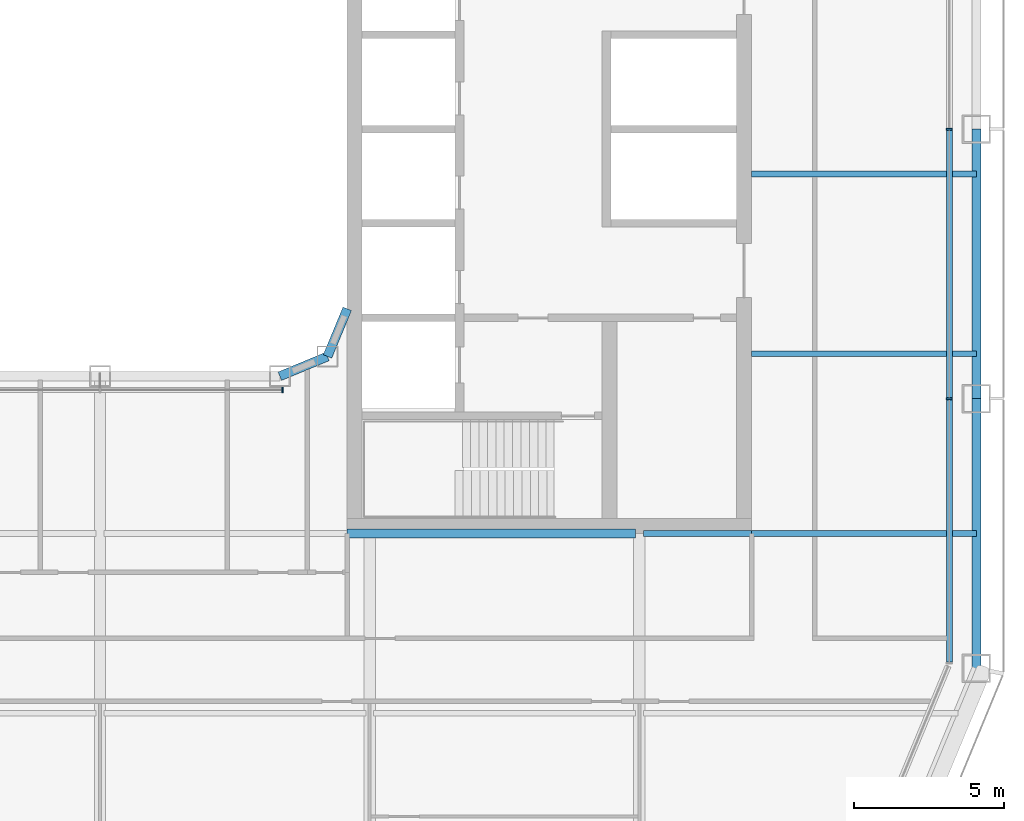
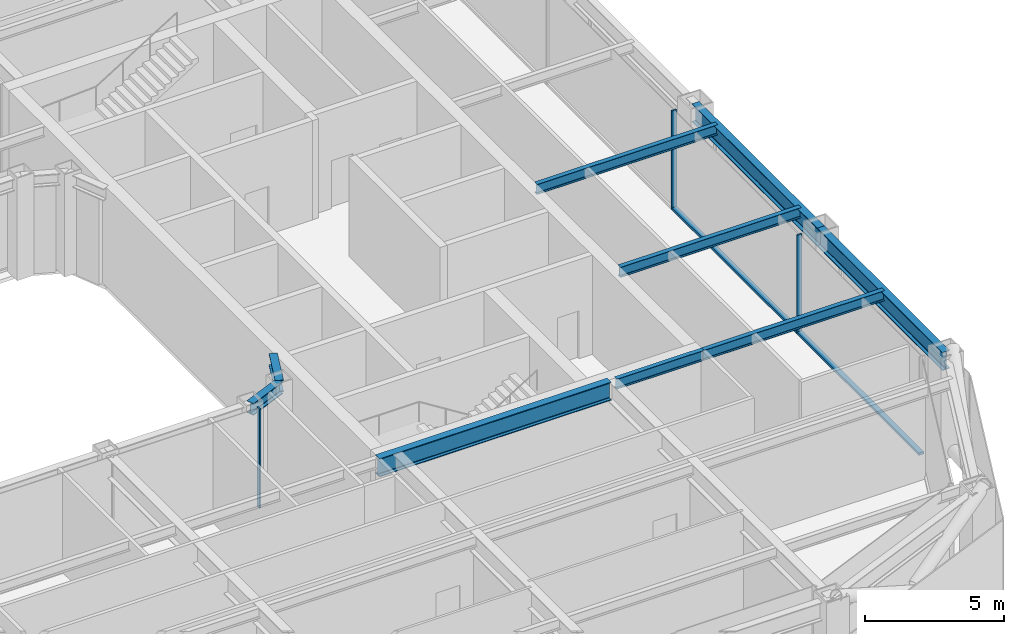
# One storey, part 5 of 21: 9 beams, 5 members, 2 elements without a shape of their own.
"""IFC4 building model written with IfcOpenShell, lengths in metres."""

from ifc_helpers import new_model, si_unit, direction, frame, origin, origin_2d, place, context, subcontext, project, spatial, rectangle, i_section, extrude, material, layer, layer_set, material_profile, profile_set, type_object, element, aggregate, save


model = new_model("IFC4")

# Units and contexts
model_context = context("Model", 3, precision=1e-05, world=origin(), true_north=direction((0.0, 1.0)))
body_context = subcontext(model_context, "Body", "Model", "MODEL_VIEW")
ifc_project = project(units=[si_unit("LENGTHUNIT", "METRE"), si_unit("AREAUNIT", "SQUARE_METRE"), si_unit("VOLUMEUNIT", "CUBIC_METRE"), si_unit("PLANEANGLEUNIT", "RADIAN"), si_unit("MASSUNIT", "GRAM", prefix="KILO")], contexts=[model_context])

# Site, building, storey
site_placement = place(None, origin())
site = spatial("IfcSite", under=ifc_project, at=site_placement, CompositionType="ELEMENT")
building_placement = place(site_placement, origin())
building = spatial("IfcBuilding", under=site, at=building_placement, Name="Siwar Civic Tower", CompositionType="ELEMENT")
storey_placement = place(building_placement, frame((0.0, 0.0, 104.699951171875)))
storey = spatial("IfcBuildingStorey", under=building, at=storey_placement, Name="L22", CompositionType="ELEMENT", Elevation=104.699951171875)

# Curtain wall, members
ifc_material_1 = material(Name="Aluminium and glass", Category="aluminium")
ifc_layer_1 = layer(ifc_material_1, 0.199951171875)
ifc_layer_set_1 = layer_set([ifc_layer_1], Name="Aluminium and glass")
curtain_wall_type_1 = type_object("IfcCurtainWallType", Name="ENV-CW-B", PredefinedType="NOTDEFINED", material=ifc_layer_set_1)
curtain_wall_1_placement = place(storey_placement, origin())
curtain_wall_1 = element("IfcCurtainWall", 1, at=curtain_wall_1_placement, inside=storey, type_object=curtain_wall_type_1, Name="Curtain wall B E", PredefinedType="NOTDEFINED")
ifc_material_2 = material(Name="Aluminium 6063-T6", Category="aluminium")
ifc_material_profile_1 = material_profile(ifc_material_2, rectangle(XDim=0.199951171875, YDim=0.06494140625, at=origin_2d()), Name="AL 200x65")
ifc_profile_set_1 = profile_set([ifc_material_profile_1], Name="Aluminium 6063-T6")
member_type_1 = type_object("IfcMemberType", Name="ENV-MULLION-B", PredefinedType="MULLION", material=ifc_profile_set_1)
member_1_placement = place(storey_placement, frame((28.35009765625, -9.0, 0.0), z_axis=(0.0, 0.0, 1.0), x_axis=(-1.0, 0.0, 0.0)))
member_1 = element("IfcMember", 2, at=member_1_placement, type_object=member_type_1, Name="Mullion B E 2", PredefinedType="MULLION", context=body_context, shape_type="SweptSolid", body=[
    extrude(rectangle(XDim=0.199951171875, YDim=0.06494140625, at=origin_2d()), origin(), (0.0, 0.0, 1.0), 4.35009765625),
])
member_2_placement = place(storey_placement, frame((28.35009765625, 0.0, 0.0), z_axis=(0.0, 0.0, 1.0), x_axis=(-1.0, 0.0, 0.0)))
member_2 = element("IfcMember", 3, at=member_2_placement, type_object=member_type_1, Name="Mullion B E 3", PredefinedType="MULLION", context=body_context, shape_type="SweptSolid", body=[
    extrude(rectangle(XDim=0.199951171875, YDim=0.06494140625, at=origin_2d()), origin(), (0.0, 0.0, 1.0), 4.35009765625),
])

# Curtain wall, member
ifc_material_3 = material(Name="Aluminium and glass", Category="aluminium")
ifc_layer_2 = layer(ifc_material_3, 0.179931640625)
ifc_layer_set_2 = layer_set([ifc_layer_2], Name="Aluminium and glass")
curtain_wall_type_2 = type_object("IfcCurtainWallType", Name="ENV-CW-W", PredefinedType="NOTDEFINED", material=ifc_layer_set_2)
curtain_wall_2_placement = place(storey_placement, origin())
curtain_wall_2 = element("IfcCurtainWall", 4, at=curtain_wall_2_placement, inside=storey, type_object=curtain_wall_type_2, Name="Curtain wall W WS", PredefinedType="NOTDEFINED")
ifc_material_4 = material(Name="Aluminium 6063-T6", Category="aluminium")
ifc_material_profile_2 = material_profile(ifc_material_4, rectangle(XDim=0.179931640625, YDim=0.06005859375, at=origin_2d()), Name="AL 180x60")
ifc_profile_set_2 = profile_set([ifc_material_profile_2], Name="Aluminium 6063-T6")
member_type_2 = type_object("IfcMemberType", Name="ENV-MULLION-W", PredefinedType="MULLION", material=ifc_profile_set_2)
member_3_placement = place(storey_placement, frame((6.091552734375, -8.7099609375, 0.0), z_axis=(0.0, 0.0, 1.0), x_axis=(0.0, 1.0, 0.0)))
member_3 = element("IfcMember", 5, at=member_3_placement, type_object=member_type_2, Name="Mullion W WS 3", PredefinedType="MULLION", context=body_context, shape_type="SweptSolid", body=[
    extrude(rectangle(XDim=0.179931640625, YDim=0.06005859375, at=origin_2d()), origin(), (0.0, 0.0, 1.0), 4.35009765625),
])
aggregate(curtain_wall_2, [member_3])

# Member
ifc_material_5 = material(Name="Aluminium 6063-T6", Category="aluminium")
ifc_material_profile_3 = material_profile(ifc_material_5, rectangle(XDim=0.199951171875, YDim=0.110107421875, at=origin_2d()), Name="AL 200x110")
ifc_profile_set_3 = profile_set([ifc_material_profile_3], Name="Aluminium 6063-T6")
member_type_3 = type_object("IfcMemberType", Name="ENV-TRANSOM-B", PredefinedType="USERDEFINED", material=ifc_profile_set_3)
member_4_placement = place(storey_placement, frame((28.35009765625, -17.78857421875, 0.054931640625), z_axis=(0.0, 1.0, 0.0), x_axis=(-1.0, 0.0, 0.0)))
member_4 = element("IfcMember", 6, at=member_4_placement, type_object=member_type_3, Name="Transom B E 1", ObjectType="TRANSOM", PredefinedType="USERDEFINED", context=body_context, shape_type="SweptSolid", body=[
    extrude(rectangle(XDim=0.199951171875, YDim=0.110107421875, at=origin_2d()), origin(), (0.0, 0.0, 1.0), 8.756103515625),
])

member_5_placement = place(storey_placement, frame((28.35009765625, -8.967529296875, 0.054931640625), z_axis=(0.0, 1.0, 0.0), x_axis=(-1.0, 0.0, 0.0)))
member_5 = element("IfcMember", 7, at=member_5_placement, type_object=member_type_3, Name="Transom B E 2", ObjectType="TRANSOM", PredefinedType="USERDEFINED", context=body_context, shape_type="SweptSolid", body=[
    extrude(rectangle(XDim=0.199951171875, YDim=0.110107421875, at=origin_2d()), origin(), (0.0, 0.0, 1.0), 8.93505859375),
])

aggregate(curtain_wall_1, [member_1, member_2, member_4, member_5])

# Beams
ifc_material_6 = material(Name="Steel S355", Category="steel")
ifc_material_profile_4 = material_profile(ifc_material_6, i_section(OverallWidth=0.18994140625, OverallDepth=0.449951171875, WebThickness=0.009521484375, FlangeThickness=0.0146484375, FilletRadius=0.02099609375, at=origin_2d()), Name="IPE450")
ifc_profile_set_4 = profile_set([ifc_material_profile_4], Name="Steel S355")
beam_type_1 = type_object("IfcBeamType", Name="STR-FB-IPE450", PredefinedType="JOIST", material=ifc_profile_set_4)
beam_1_placement = place(storey_placement, frame((18.1298828125, -13.5, 4.125), z_axis=(1.0, 0.0, 0.0), x_axis=(0.0, 1.0, 0.0)))
element("IfcBeam", 8, at=beam_1_placement, inside=storey, type_object=beam_type_1, Name="L22/bm/F019", PredefinedType="JOIST", context=body_context, shape_type="SweptSolid", body=[
    extrude(i_section(OverallWidth=0.18994140625, OverallDepth=0.449951171875, WebThickness=0.009521484375, FlangeThickness=0.0146484375, FilletRadius=0.02099609375, at=origin_2d()), origin(), (0.0, 0.0, 1.0), 3.6201171875),
])
for number, where, z_axis, x_axis, name in (
    (9, (21.75, -13.5, 4.125), (1.0, 0.0, 0.0), (0.0, 1.0, 0.0), "L22/bm/F020"),
    (10, (21.75, -7.5, 4.125), (1.0, 0.0, 0.0), (0.0, 1.0, 0.0), "L22/bm/F022"),
    (11, (21.75, -1.5, 4.125), (1.0, 0.0, 0.0), (0.0, 1.0, 0.0), "L22/bm/F024"),
):
    element("IfcBeam", number, at=place(storey_placement, frame(where, z_axis=z_axis, x_axis=x_axis)), inside=storey, type_object=beam_type_1, Name=name, PredefinedType="JOIST", context=body_context, shape_type="SweptSolid", body=[
        extrude(i_section(OverallWidth=0.18994140625, OverallDepth=0.449951171875, WebThickness=0.009521484375, FlangeThickness=0.0146484375, FilletRadius=0.02099609375, at=origin_2d()), origin(), (0.0, 0.0, 1.0), 7.5),
    ])
ifc_material_7 = material(Name="Steel S355", Category="steel")
ifc_material_profile_5 = material_profile(ifc_material_7, i_section(OverallWidth=0.300048828125, OverallDepth=0.800048828125, WebThickness=0.017578125, FlangeThickness=0.032958984375, FilletRadius=0.030029296875, at=origin_2d()), Name="HEB800")
ifc_profile_set_5 = profile_set([ifc_material_profile_5], Name="Steel S355")
beam_type_2 = type_object("IfcBeamType", Name="STR-PG-HEB800", PredefinedType="BEAM", material=ifc_profile_set_5)
beam_2_placement = place(storey_placement, frame((8.25, -13.5, 3.949951171875), z_axis=(1.0, 0.0, 0.0), x_axis=(0.0, 1.0, 0.0)))
element("IfcBeam", 12, at=beam_2_placement, inside=storey, type_object=beam_type_2, Name="L22/bm/F018", PredefinedType="BEAM", context=body_context, shape_type="SweptSolid", body=[
    extrude(i_section(OverallWidth=0.300048828125, OverallDepth=0.800048828125, WebThickness=0.017578125, FlangeThickness=0.032958984375, FilletRadius=0.030029296875, at=origin_2d()), origin(), (0.0, 0.0, 1.0), 9.6201171875),
])
ifc_material_8 = material(Name="Steel S355", Category="steel")
ifc_material_profile_6 = material_profile(ifc_material_8, i_section(OverallWidth=0.305908203125, OverallDepth=0.52392578125, WebThickness=0.02099609375, FlangeThickness=0.0400390625, FilletRadius=0.027099609375, at=origin_2d()), Name="HEM500")
ifc_profile_set_6 = profile_set([ifc_material_profile_6], Name="Steel S355")
beam_type_3 = type_object("IfcBeamType", Name="STR-RB-HEM500", PredefinedType="BEAM", material=ifc_profile_set_6)
for number, where, z_axis, x_axis, name in (
    (13, (6.0, -8.25, 4.088134765625), (0.923901072997, 0.382631424892, 0.0), (-0.382631424892, 0.923901072997, 0.0), "L22/bm/RS3"),
    (14, (7.591064453125, -7.591064453125, 4.088134765625), (0.382631424892, 0.923901072997, 0.0), (-0.923901072997, 0.382631424892, 0.0), "L22/bm/RSEE"),
):
    element("IfcBeam", number, at=place(storey_placement, frame(where, z_axis=z_axis, x_axis=x_axis)), inside=storey, type_object=beam_type_3, Name=name, PredefinedType="BEAM", context=body_context, shape_type="SweptSolid", body=[
        extrude(i_section(OverallWidth=0.305908203125, OverallDepth=0.52392578125, WebThickness=0.02099609375, FlangeThickness=0.0400390625, FilletRadius=0.027099609375, at=origin_2d()), origin(), (0.0, 0.0, 1.0), 1.72216796875),
    ])
ifc_material_9 = material(Name="Steel S355", Category="steel")
ifc_material_profile_7 = material_profile(ifc_material_9, i_section(OverallWidth=0.300048828125, OverallDepth=0.800048828125, WebThickness=0.017578125, FlangeThickness=0.032958984375, FilletRadius=0.030029296875, at=origin_2d()), Name="HEB800")
ifc_profile_set_7 = profile_set([ifc_material_profile_7], Name="Steel S355")
beam_type_4 = type_object("IfcBeamType", Name="STR-SB-HEB800", PredefinedType="BEAM", material=ifc_profile_set_7)
for number, where, z_axis, x_axis, name in (
    (15, (29.25, -18.0, 3.949951171875), (0.0, 1.0, 0.0), (-1.0, 0.0, 0.0), "L22/bm/SE-0"),
    (16, (29.25, -9.0, 3.949951171875), (0.0, 1.0, 0.0), (-1.0, 0.0, 0.0), "L22/bm/SE-1"),
):
    element("IfcBeam", number, at=place(storey_placement, frame(where, z_axis=z_axis, x_axis=x_axis)), inside=storey, type_object=beam_type_4, Name=name, PredefinedType="BEAM", context=body_context, shape_type="SweptSolid", body=[
        extrude(i_section(OverallWidth=0.300048828125, OverallDepth=0.800048828125, WebThickness=0.017578125, FlangeThickness=0.032958984375, FilletRadius=0.030029296875, at=origin_2d()), origin(), (0.0, 0.0, 1.0), 9.0),
    ])

save(model, "model.ifc")
